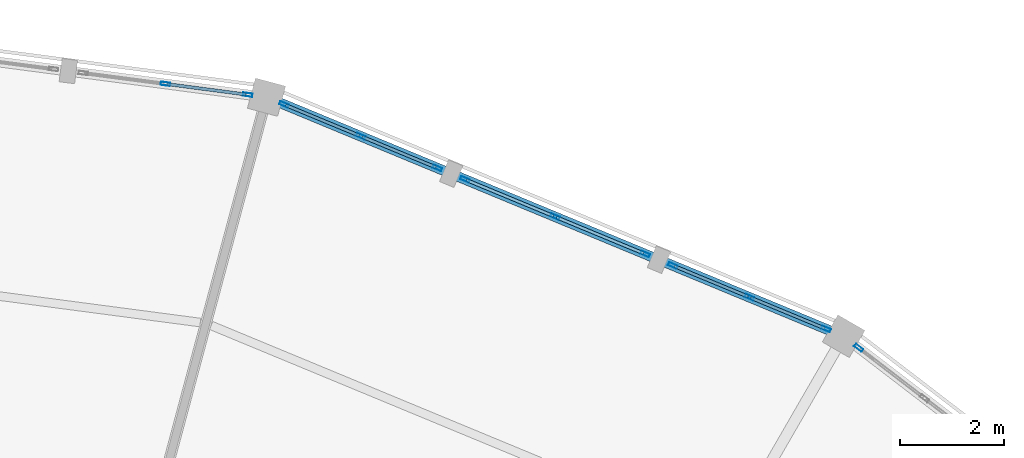
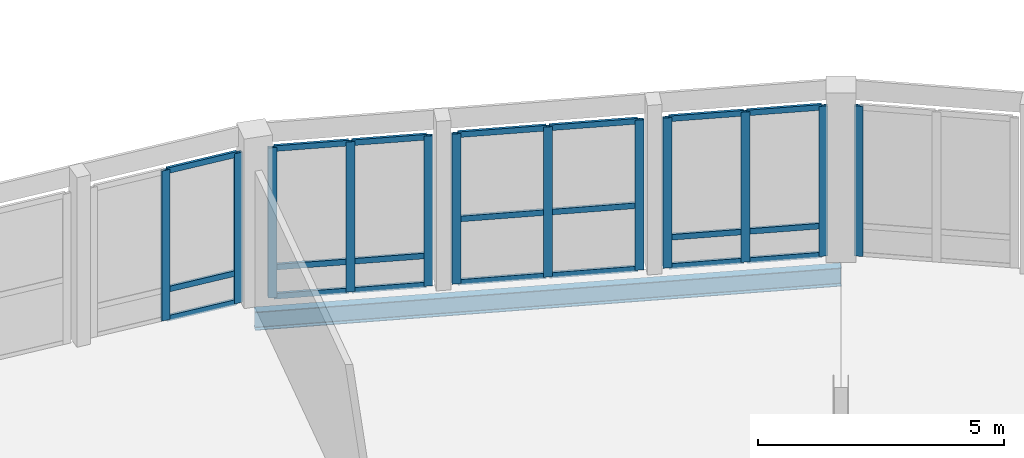
# One storey, part 85 of 170: 33 members, 1 beam, 5 elements without a shape of their own.
"""IFC4 building model written with IfcOpenShell, lengths in metres."""

from ifc_helpers import new_model, si_unit, direction, frame, origin, origin_2d, place, context, subcontext, project, spatial, hollow_rectangle, i_section, extrude, material, material_profile, profile_set, type_object, element, aggregate, save


model = new_model("IFC4")

# Units and contexts
model_context = context("Model", 3, precision=1e-05, world=origin(), true_north=direction((0.0, 1.0)))
body_context = subcontext(model_context, "Body", "Model", "MODEL_VIEW")
ifc_project = project(units=[si_unit("LENGTHUNIT", "METRE"), si_unit("AREAUNIT", "SQUARE_METRE"), si_unit("VOLUMEUNIT", "CUBIC_METRE"), si_unit("PLANEANGLEUNIT", "RADIAN"), si_unit("MASSUNIT", "GRAM", prefix="KILO")], contexts=[model_context])

# Site, building, storey
site_placement = place(None, origin())
site = spatial("IfcSite", under=ifc_project, at=site_placement, CompositionType="ELEMENT")
building_placement = place(site_placement, origin())
building = spatial("IfcBuilding", under=site, at=building_placement, Name="Vondelvale Polytechnic", CompositionType="ELEMENT")
storey_placement = place(building_placement, frame((0.0, 0.0, 5.39990234375)))
storey = spatial("IfcBuildingStorey", under=building, at=storey_placement, Name="L01", CompositionType="ELEMENT", Elevation=5.39990234375)

# Beam
ifc_material_1 = material(Name="Steel 300PLUS (fy = 300 MPa)", Category="steel")
ifc_material_profile_1 = material_profile(ifc_material_1, i_section(OverallWidth=0.18994140625, OverallDepth=0.45703125, WebThickness=0.009033203125, FlangeThickness=0.014404296875, FilletRadius=0.011474609375, at=origin_2d()), Name="460UB74.6")
ifc_profile_set_1 = profile_set([ifc_material_profile_1], Name="Steel 300PLUS (fy = 300 MPa)")
beam_type = type_object("IfcBeamType", Name="BM-UB460", PredefinedType="BEAM", material=ifc_profile_set_1)
beam_placement = place(storey_placement, frame((125.0, 111.837158203125, -0.50830078125), z_axis=(-0.923877323614, 0.382688765072, 0.0), x_axis=(-0.382688765072, -0.923877323614, 0.0)))
element("IfcBeam", 1, at=beam_placement, inside=storey, type_object=beam_type, Name="L01 RB B-13", PredefinedType="BEAM", context=body_context, shape_type="SweptSolid", body=[
    extrude(i_section(OverallWidth=0.18994140625, OverallDepth=0.45703125, WebThickness=0.009033203125, FlangeThickness=0.014404296875, FilletRadius=0.011474609375, at=origin_2d()), origin(), (0.0, 0.0, 1.0), 12.00830078125),
])

# Curtain wall, member
ifc_material_2 = material(Name="Glulam GL18 structural Tasmanian oak (fb = 42 MPa)", Category="wood")
curtain_wall_type = type_object("IfcCurtainWallType", Name="CW-RING-OUTER", PredefinedType="NOTDEFINED", material=ifc_material_2)
curtain_wall_1_placement = place(storey_placement, origin())
curtain_wall_1 = element("IfcCurtainWall", 2, at=curtain_wall_1_placement, inside=storey, type_object=curtain_wall_type, Name="L01 architectural curtain wall CW-04-103", PredefinedType="NOTDEFINED")
ifc_material_3 = material(Name="Anodised extruded aluminium 6063-T6", Category="aluminium")
ifc_material_profile_2 = material_profile(ifc_material_3, hollow_rectangle(XDim=0.06494140625, YDim=0.179931640625, WallThickness=0.00390625, at=origin_2d()), Name="CW-MUL-180x65")
ifc_profile_set_2 = profile_set([ifc_material_profile_2], Name="Anodised extruded aluminium 6063-T6")
member_type_1 = type_object("IfcMemberType", Name="CW-MUL-65x180", PredefinedType="MULLION", material=ifc_profile_set_2)
member_1_placement = place(storey_placement, frame((125.289794921875, 111.614990234375, 0.0), z_axis=(0.0, 0.0, 1.0), x_axis=(-0.608786860133, -0.793333825656, 0.0)))
member_1 = element("IfcMember", 3, at=member_1_placement, type_object=member_type_1, Name="CW-04-103 mullion 3", PredefinedType="MULLION", context=body_context, shape_type="SweptSolid", body=[
    extrude(hollow_rectangle(XDim=0.06494140625, YDim=0.179931640625, WallThickness=0.00390625, at=origin_2d()), origin(), (0.0, 0.0, 1.0), 3.72021484375),
])
aggregate(curtain_wall_1, [member_1])

# Curtain wall, members
curtain_wall_2_placement = place(storey_placement, origin())
curtain_wall_2 = element("IfcCurtainWall", 4, at=curtain_wall_2_placement, inside=storey, type_object=curtain_wall_type, Name="L01 architectural curtain wall CW-04-116", PredefinedType="NOTDEFINED")
member_2_placement = place(storey_placement, frame((124.66259765625, 111.97705078125, 0.0), z_axis=(0.0, 0.0, 1.0), x_axis=(-0.382677394529, -0.923882033442, 0.0)))
member_2 = element("IfcMember", 5, at=member_2_placement, type_object=member_type_1, Name="CW-04-116 mullion 1", PredefinedType="MULLION", context=body_context, shape_type="SweptSolid", body=[
    extrude(hollow_rectangle(XDim=0.06494140625, YDim=0.179931640625, WallThickness=0.00390625, at=origin_2d()), origin(), (0.0, 0.0, 1.0), 3.72021484375),
])
member_3_placement = place(storey_placement, frame((123.18896484375, 112.58740234375, 0.0), z_axis=(0.0, 0.0, 1.0), x_axis=(-0.382677394529, -0.923882033442, 0.0)))
member_3 = element("IfcMember", 6, at=member_3_placement, type_object=member_type_1, Name="CW-04-116 mullion 2", PredefinedType="MULLION", context=body_context, shape_type="SweptSolid", body=[
    extrude(hollow_rectangle(XDim=0.06494140625, YDim=0.179931640625, WallThickness=0.00390625, at=origin_2d()), origin(), (0.0, 0.0, 1.0), 3.72021484375),
])
member_4_placement = place(storey_placement, frame((121.71533203125, 113.19775390625, 0.0), z_axis=(0.0, 0.0, 1.0), x_axis=(-0.382677394529, -0.923882033442, 0.0)))
member_4 = element("IfcMember", 7, at=member_4_placement, type_object=member_type_1, Name="CW-04-116 mullion 3", PredefinedType="MULLION", context=body_context, shape_type="SweptSolid", body=[
    extrude(hollow_rectangle(XDim=0.06494140625, YDim=0.179931640625, WallThickness=0.00390625, at=origin_2d()), origin(), (0.0, 0.0, 1.0), 3.72021484375),
])

curtain_wall_3_placement = place(storey_placement, origin())
curtain_wall_3 = element("IfcCurtainWall", 8, at=curtain_wall_3_placement, inside=storey, type_object=curtain_wall_type, Name="L01 architectural curtain wall CW-04-117", PredefinedType="NOTDEFINED")
member_5_placement = place(storey_placement, frame((121.18408203125, 113.417724609375, 0.0), z_axis=(0.0, 0.0, 1.0), x_axis=(-0.382694599123, -0.92387490701, 0.0)))
member_5 = element("IfcMember", 9, at=member_5_placement, type_object=member_type_1, Name="CW-04-117 mullion 1", PredefinedType="MULLION", context=body_context, shape_type="SweptSolid", body=[
    extrude(hollow_rectangle(XDim=0.06494140625, YDim=0.179931640625, WallThickness=0.00390625, at=origin_2d()), origin(), (0.0, 0.0, 1.0), 3.72021484375),
])
member_6_placement = place(storey_placement, frame((119.452880859375, 114.135009765625, 0.0), z_axis=(0.0, 0.0, 1.0), x_axis=(-0.382694599123, -0.92387490701, 0.0)))
member_6 = element("IfcMember", 10, at=member_6_placement, type_object=member_type_1, Name="CW-04-117 mullion 2", PredefinedType="MULLION", context=body_context, shape_type="SweptSolid", body=[
    extrude(hollow_rectangle(XDim=0.06494140625, YDim=0.179931640625, WallThickness=0.00390625, at=origin_2d()), origin(), (0.0, 0.0, 1.0), 3.72021484375),
])
member_7_placement = place(storey_placement, frame((117.721435546875, 114.85205078125, 0.0), z_axis=(0.0, 0.0, 1.0), x_axis=(-0.382694599123, -0.92387490701, 0.0)))
member_7 = element("IfcMember", 11, at=member_7_placement, type_object=member_type_1, Name="CW-04-117 mullion 3", PredefinedType="MULLION", context=body_context, shape_type="SweptSolid", body=[
    extrude(hollow_rectangle(XDim=0.06494140625, YDim=0.179931640625, WallThickness=0.00390625, at=origin_2d()), origin(), (0.0, 0.0, 1.0), 3.72021484375),
])

curtain_wall_4_placement = place(storey_placement, origin())
curtain_wall_4 = element("IfcCurtainWall", 12, at=curtain_wall_4_placement, inside=storey, type_object=curtain_wall_type, Name="L01 architectural curtain wall CW-04-118", PredefinedType="NOTDEFINED")
member_8_placement = place(storey_placement, frame((117.190185546875, 115.072021484375, 0.0), z_axis=(0.0, 0.0, 1.0), x_axis=(-0.382677394529, -0.923882033442, 0.0)))
member_8 = element("IfcMember", 13, at=member_8_placement, type_object=member_type_1, Name="CW-04-118 mullion 1", PredefinedType="MULLION", context=body_context, shape_type="SweptSolid", body=[
    extrude(hollow_rectangle(XDim=0.06494140625, YDim=0.179931640625, WallThickness=0.00390625, at=origin_2d()), origin(), (0.0, 0.0, 1.0), 3.72021484375),
])
member_9_placement = place(storey_placement, frame((115.716796875, 115.6826171875, 0.0), z_axis=(0.0, 0.0, 1.0), x_axis=(-0.382677394529, -0.923882033442, 0.0)))
member_9 = element("IfcMember", 14, at=member_9_placement, type_object=member_type_1, Name="CW-04-118 mullion 2", PredefinedType="MULLION", context=body_context, shape_type="SweptSolid", body=[
    extrude(hollow_rectangle(XDim=0.06494140625, YDim=0.179931640625, WallThickness=0.00390625, at=origin_2d()), origin(), (0.0, 0.0, 1.0), 3.72021484375),
])
member_10_placement = place(storey_placement, frame((114.2431640625, 116.29296875, 0.0), z_axis=(0.0, 0.0, 1.0), x_axis=(-0.382677394529, -0.923882033442, 0.0)))
member_10 = element("IfcMember", 15, at=member_10_placement, type_object=member_type_1, Name="CW-04-118 mullion 3", PredefinedType="MULLION", context=body_context, shape_type="SweptSolid", body=[
    extrude(hollow_rectangle(XDim=0.06494140625, YDim=0.179931640625, WallThickness=0.00390625, at=origin_2d()), origin(), (0.0, 0.0, 1.0), 3.72021484375),
])

curtain_wall_5_placement = place(storey_placement, origin())
curtain_wall_5 = element("IfcCurtainWall", 16, at=curtain_wall_5_placement, inside=storey, type_object=curtain_wall_type, Name="L01 architectural curtain wall CW-04-136", PredefinedType="NOTDEFINED")
member_11_placement = place(storey_placement, frame((113.54345703125, 116.480224609375, 0.0), z_axis=(0.0, 0.0, 1.0), x_axis=(-0.130539547729, -0.991443102996, 0.0)))
member_11 = element("IfcMember", 17, at=member_11_placement, type_object=member_type_1, Name="CW-04-136 mullion 1", PredefinedType="MULLION", context=body_context, shape_type="SweptSolid", body=[
    extrude(hollow_rectangle(XDim=0.06494140625, YDim=0.179931640625, WallThickness=0.00390625, at=origin_2d()), origin(), (0.0, 0.0, 1.0), 3.72021484375),
])
member_12_placement = place(storey_placement, frame((111.962158203125, 116.6884765625, 0.0), z_axis=(0.0, 0.0, 1.0), x_axis=(-0.130539547729, -0.991443102996, 0.0)))
member_12 = element("IfcMember", 18, at=member_12_placement, type_object=member_type_1, Name="CW-04-136 mullion 2", PredefinedType="MULLION", context=body_context, shape_type="SweptSolid", body=[
    extrude(hollow_rectangle(XDim=0.06494140625, YDim=0.179931640625, WallThickness=0.00390625, at=origin_2d()), origin(), (0.0, 0.0, 1.0), 3.72021484375),
])

# Member
ifc_material_profile_3 = material_profile(ifc_material_3, hollow_rectangle(XDim=0.06005859375, YDim=0.139892578125, WallThickness=0.00341796875, at=origin_2d()), Name="CW-TRN-140x60")
ifc_profile_set_3 = profile_set([ifc_material_profile_3], Name="Anodised extruded aluminium 6063-T6")
member_type_2 = type_object("IfcMemberType", Name="CW-TRN-60x140", PredefinedType="USERDEFINED", material=ifc_profile_set_3)
member_13_placement = place(storey_placement, frame((124.632568359375, 111.9892578125, 0.030029296875), z_axis=(-0.923839843027, 0.382779237206, 0.0), x_axis=(-0.382779237206, -0.923839843027, 0.0)))
member_13 = element("IfcMember", 19, at=member_13_placement, type_object=member_type_2, Name="CW-04-116 transom 1.1", ObjectType="TRANSOM", PredefinedType="USERDEFINED", context=body_context, shape_type="SweptSolid", body=[
    extrude(hollow_rectangle(XDim=0.06005859375, YDim=0.139892578125, WallThickness=0.00341796875, at=origin_2d()), origin(), (0.0, 0.0, 1.0), 1.530029296875),
])

member_14_placement = place(storey_placement, frame((124.632568359375, 111.9892578125, 0.75), z_axis=(-0.923839843027, 0.382779237206, 0.0), x_axis=(-0.382779237206, -0.923839843027, 0.0)))
member_14 = element("IfcMember", 20, at=member_14_placement, type_object=member_type_2, Name="CW-04-116 transom 1.2", ObjectType="TRANSOM", PredefinedType="USERDEFINED", context=body_context, shape_type="SweptSolid", body=[
    extrude(hollow_rectangle(XDim=0.06005859375, YDim=0.139892578125, WallThickness=0.00341796875, at=origin_2d()), origin(), (0.0, 0.0, 1.0), 1.530029296875),
])

member_15_placement = place(storey_placement, frame((124.632568359375, 111.9892578125, 3.690185546875), z_axis=(-0.923839843027, 0.382779237206, 0.0), x_axis=(-0.382779237206, -0.923839843027, 0.0)))
member_15 = element("IfcMember", 21, at=member_15_placement, type_object=member_type_2, Name="CW-04-116 transom 1.3", ObjectType="TRANSOM", PredefinedType="USERDEFINED", context=body_context, shape_type="SweptSolid", body=[
    extrude(hollow_rectangle(XDim=0.06005859375, YDim=0.139892578125, WallThickness=0.00341796875, at=origin_2d()), origin(), (0.0, 0.0, 1.0), 1.530029296875),
])

member_16_placement = place(storey_placement, frame((123.158935546875, 112.599853515625, 0.030029296875), z_axis=(-0.923896260346, 0.382643045304, 0.0), x_axis=(-0.382643045304, -0.923896260346, 0.0)))
member_16 = element("IfcMember", 22, at=member_16_placement, type_object=member_type_2, Name="CW-04-116 transom 2.1", ObjectType="TRANSOM", PredefinedType="USERDEFINED", context=body_context, shape_type="SweptSolid", body=[
    extrude(hollow_rectangle(XDim=0.06005859375, YDim=0.139892578125, WallThickness=0.00341796875, at=origin_2d()), origin(), (0.0, 0.0, 1.0), 1.530029296875),
])

member_17_placement = place(storey_placement, frame((123.158935546875, 112.599853515625, 0.75), z_axis=(-0.923896260346, 0.382643045304, 0.0), x_axis=(-0.382643045304, -0.923896260346, 0.0)))
member_17 = element("IfcMember", 23, at=member_17_placement, type_object=member_type_2, Name="CW-04-116 transom 2.2", ObjectType="TRANSOM", PredefinedType="USERDEFINED", context=body_context, shape_type="SweptSolid", body=[
    extrude(hollow_rectangle(XDim=0.06005859375, YDim=0.139892578125, WallThickness=0.00341796875, at=origin_2d()), origin(), (0.0, 0.0, 1.0), 1.530029296875),
])

member_18_placement = place(storey_placement, frame((123.158935546875, 112.599853515625, 3.690185546875), z_axis=(-0.923896260346, 0.382643045304, 0.0), x_axis=(-0.382643045304, -0.923896260346, 0.0)))
member_18 = element("IfcMember", 24, at=member_18_placement, type_object=member_type_2, Name="CW-04-116 transom 2.3", ObjectType="TRANSOM", PredefinedType="USERDEFINED", context=body_context, shape_type="SweptSolid", body=[
    extrude(hollow_rectangle(XDim=0.06005859375, YDim=0.139892578125, WallThickness=0.00341796875, at=origin_2d()), origin(), (0.0, 0.0, 1.0), 1.530029296875),
])

aggregate(curtain_wall_2, [member_2, member_3, member_4, member_13, member_14, member_15, member_16, member_17, member_18])

member_19_placement = place(storey_placement, frame((121.154052734375, 113.43017578125, 0.030029296875), z_axis=(-0.92384573676, 0.382765012338, 0.0), x_axis=(-0.382765012338, -0.92384573676, 0.0)))
member_19 = element("IfcMember", 25, at=member_19_placement, type_object=member_type_2, Name="CW-04-117 transom 1.1", ObjectType="TRANSOM", PredefinedType="USERDEFINED", context=body_context, shape_type="SweptSolid", body=[
    extrude(hollow_rectangle(XDim=0.06005859375, YDim=0.139892578125, WallThickness=0.00341796875, at=origin_2d()), origin(), (0.0, 0.0, 1.0), 1.808837890625),
])

member_20_placement = place(storey_placement, frame((121.154052734375, 113.43017578125, 1.60009765625), z_axis=(-0.92384573676, 0.382765012338, 0.0), x_axis=(-0.382765012338, -0.92384573676, 0.0)))
member_20 = element("IfcMember", 26, at=member_20_placement, type_object=member_type_2, Name="CW-04-117 transom 1.2", ObjectType="TRANSOM", PredefinedType="USERDEFINED", context=body_context, shape_type="SweptSolid", body=[
    extrude(hollow_rectangle(XDim=0.06005859375, YDim=0.139892578125, WallThickness=0.00341796875, at=origin_2d()), origin(), (0.0, 0.0, 1.0), 1.808837890625),
])

member_21_placement = place(storey_placement, frame((121.154052734375, 113.43017578125, 3.690185546875), z_axis=(-0.92384573676, 0.382765012338, 0.0), x_axis=(-0.382765012338, -0.92384573676, 0.0)))
member_21 = element("IfcMember", 27, at=member_21_placement, type_object=member_type_2, Name="CW-04-117 transom 1.3", ObjectType="TRANSOM", PredefinedType="USERDEFINED", context=body_context, shape_type="SweptSolid", body=[
    extrude(hollow_rectangle(XDim=0.06005859375, YDim=0.139892578125, WallThickness=0.00341796875, at=origin_2d()), origin(), (0.0, 0.0, 1.0), 1.808837890625),
])

member_22_placement = place(storey_placement, frame((119.4228515625, 114.147216796875, 0.030029296875), z_axis=(-0.923865506878, 0.382717291485, 0.0), x_axis=(-0.382717291485, -0.923865506878, 0.0)))
member_22 = element("IfcMember", 28, at=member_22_placement, type_object=member_type_2, Name="CW-04-117 transom 2.1", ObjectType="TRANSOM", PredefinedType="USERDEFINED", context=body_context, shape_type="SweptSolid", body=[
    extrude(hollow_rectangle(XDim=0.06005859375, YDim=0.139892578125, WallThickness=0.00341796875, at=origin_2d()), origin(), (0.0, 0.0, 1.0), 1.80908203125),
])

member_23_placement = place(storey_placement, frame((119.4228515625, 114.147216796875, 1.60009765625), z_axis=(-0.923865506878, 0.382717291485, 0.0), x_axis=(-0.382717291485, -0.923865506878, 0.0)))
member_23 = element("IfcMember", 29, at=member_23_placement, type_object=member_type_2, Name="CW-04-117 transom 2.2", ObjectType="TRANSOM", PredefinedType="USERDEFINED", context=body_context, shape_type="SweptSolid", body=[
    extrude(hollow_rectangle(XDim=0.06005859375, YDim=0.139892578125, WallThickness=0.00341796875, at=origin_2d()), origin(), (0.0, 0.0, 1.0), 1.80908203125),
])

member_24_placement = place(storey_placement, frame((119.4228515625, 114.147216796875, 3.690185546875), z_axis=(-0.923865506878, 0.382717291485, 0.0), x_axis=(-0.382717291485, -0.923865506878, 0.0)))
member_24 = element("IfcMember", 30, at=member_24_placement, type_object=member_type_2, Name="CW-04-117 transom 2.3", ObjectType="TRANSOM", PredefinedType="USERDEFINED", context=body_context, shape_type="SweptSolid", body=[
    extrude(hollow_rectangle(XDim=0.06005859375, YDim=0.139892578125, WallThickness=0.00341796875, at=origin_2d()), origin(), (0.0, 0.0, 1.0), 1.80908203125),
])

aggregate(curtain_wall_3, [member_5, member_6, member_7, member_19, member_20, member_21, member_22, member_23, member_24])

member_25_placement = place(storey_placement, frame((117.16015625, 115.08447265625, 0.030029296875), z_axis=(-0.923816459452, 0.382835668721, 0.0), x_axis=(-0.382835668721, -0.923816459452, 0.0)))
member_25 = element("IfcMember", 31, at=member_25_placement, type_object=member_type_2, Name="CW-04-118 transom 1.1", ObjectType="TRANSOM", PredefinedType="USERDEFINED", context=body_context, shape_type="SweptSolid", body=[
    extrude(hollow_rectangle(XDim=0.06005859375, YDim=0.139892578125, WallThickness=0.00341796875, at=origin_2d()), origin(), (0.0, 0.0, 1.0), 1.52978515625),
])

member_26_placement = place(storey_placement, frame((117.16015625, 115.08447265625, 0.75), z_axis=(-0.923816459452, 0.382835668721, 0.0), x_axis=(-0.382835668721, -0.923816459452, 0.0)))
member_26 = element("IfcMember", 32, at=member_26_placement, type_object=member_type_2, Name="CW-04-118 transom 1.2", ObjectType="TRANSOM", PredefinedType="USERDEFINED", context=body_context, shape_type="SweptSolid", body=[
    extrude(hollow_rectangle(XDim=0.06005859375, YDim=0.139892578125, WallThickness=0.00341796875, at=origin_2d()), origin(), (0.0, 0.0, 1.0), 1.52978515625),
])

member_27_placement = place(storey_placement, frame((117.16015625, 115.08447265625, 3.690185546875), z_axis=(-0.923816459452, 0.382835668721, 0.0), x_axis=(-0.382835668721, -0.923816459452, 0.0)))
member_27 = element("IfcMember", 33, at=member_27_placement, type_object=member_type_2, Name="CW-04-118 transom 1.3", ObjectType="TRANSOM", PredefinedType="USERDEFINED", context=body_context, shape_type="SweptSolid", body=[
    extrude(hollow_rectangle(XDim=0.06005859375, YDim=0.139892578125, WallThickness=0.00341796875, at=origin_2d()), origin(), (0.0, 0.0, 1.0), 1.52978515625),
])

member_28_placement = place(storey_placement, frame((115.686767578125, 115.69482421875, 0.030029296875), z_axis=(-0.923839843027, 0.382779237206, 0.0), x_axis=(-0.382779237206, -0.923839843027, 0.0)))
member_28 = element("IfcMember", 34, at=member_28_placement, type_object=member_type_2, Name="CW-04-118 transom 2.1", ObjectType="TRANSOM", PredefinedType="USERDEFINED", context=body_context, shape_type="SweptSolid", body=[
    extrude(hollow_rectangle(XDim=0.06005859375, YDim=0.139892578125, WallThickness=0.00341796875, at=origin_2d()), origin(), (0.0, 0.0, 1.0), 1.530029296875),
])

member_29_placement = place(storey_placement, frame((115.686767578125, 115.69482421875, 0.75), z_axis=(-0.923839843027, 0.382779237206, 0.0), x_axis=(-0.382779237206, -0.923839843027, 0.0)))
member_29 = element("IfcMember", 35, at=member_29_placement, type_object=member_type_2, Name="CW-04-118 transom 2.2", ObjectType="TRANSOM", PredefinedType="USERDEFINED", context=body_context, shape_type="SweptSolid", body=[
    extrude(hollow_rectangle(XDim=0.06005859375, YDim=0.139892578125, WallThickness=0.00341796875, at=origin_2d()), origin(), (0.0, 0.0, 1.0), 1.530029296875),
])

member_30_placement = place(storey_placement, frame((115.686767578125, 115.69482421875, 3.690185546875), z_axis=(-0.923839843027, 0.382779237206, 0.0), x_axis=(-0.382779237206, -0.923839843027, 0.0)))
member_30 = element("IfcMember", 36, at=member_30_placement, type_object=member_type_2, Name="CW-04-118 transom 2.3", ObjectType="TRANSOM", PredefinedType="USERDEFINED", context=body_context, shape_type="SweptSolid", body=[
    extrude(hollow_rectangle(XDim=0.06005859375, YDim=0.139892578125, WallThickness=0.00341796875, at=origin_2d()), origin(), (0.0, 0.0, 1.0), 1.530029296875),
])

aggregate(curtain_wall_4, [member_8, member_9, member_10, member_25, member_26, member_27, member_28, member_29, member_30])

member_31_placement = place(storey_placement, frame((113.511474609375, 116.484375, 0.030029296875), z_axis=(-0.99142603388, 0.13066912162, 0.0), x_axis=(-0.13066912162, -0.99142603388, 0.0)))
member_31 = element("IfcMember", 37, at=member_31_placement, type_object=member_type_2, Name="CW-04-136 transom 1.1", ObjectType="TRANSOM", PredefinedType="USERDEFINED", context=body_context, shape_type="SweptSolid", body=[
    extrude(hollow_rectangle(XDim=0.06005859375, YDim=0.139892578125, WallThickness=0.00341796875, at=origin_2d()), origin(), (0.0, 0.0, 1.0), 1.5302734375),
])

member_32_placement = place(storey_placement, frame((113.511474609375, 116.484375, 0.75), z_axis=(-0.99142603388, 0.13066912162, 0.0), x_axis=(-0.13066912162, -0.99142603388, 0.0)))
member_32 = element("IfcMember", 38, at=member_32_placement, type_object=member_type_2, Name="CW-04-136 transom 1.2", ObjectType="TRANSOM", PredefinedType="USERDEFINED", context=body_context, shape_type="SweptSolid", body=[
    extrude(hollow_rectangle(XDim=0.06005859375, YDim=0.139892578125, WallThickness=0.00341796875, at=origin_2d()), origin(), (0.0, 0.0, 1.0), 1.5302734375),
])

member_33_placement = place(storey_placement, frame((113.511474609375, 116.484375, 3.690185546875), z_axis=(-0.99142603388, 0.13066912162, 0.0), x_axis=(-0.13066912162, -0.99142603388, 0.0)))
member_33 = element("IfcMember", 39, at=member_33_placement, type_object=member_type_2, Name="CW-04-136 transom 1.3", ObjectType="TRANSOM", PredefinedType="USERDEFINED", context=body_context, shape_type="SweptSolid", body=[
    extrude(hollow_rectangle(XDim=0.06005859375, YDim=0.139892578125, WallThickness=0.00341796875, at=origin_2d()), origin(), (0.0, 0.0, 1.0), 1.5302734375),
])

aggregate(curtain_wall_5, [member_11, member_12, member_31, member_32, member_33])

save(model, "model.ifc")
